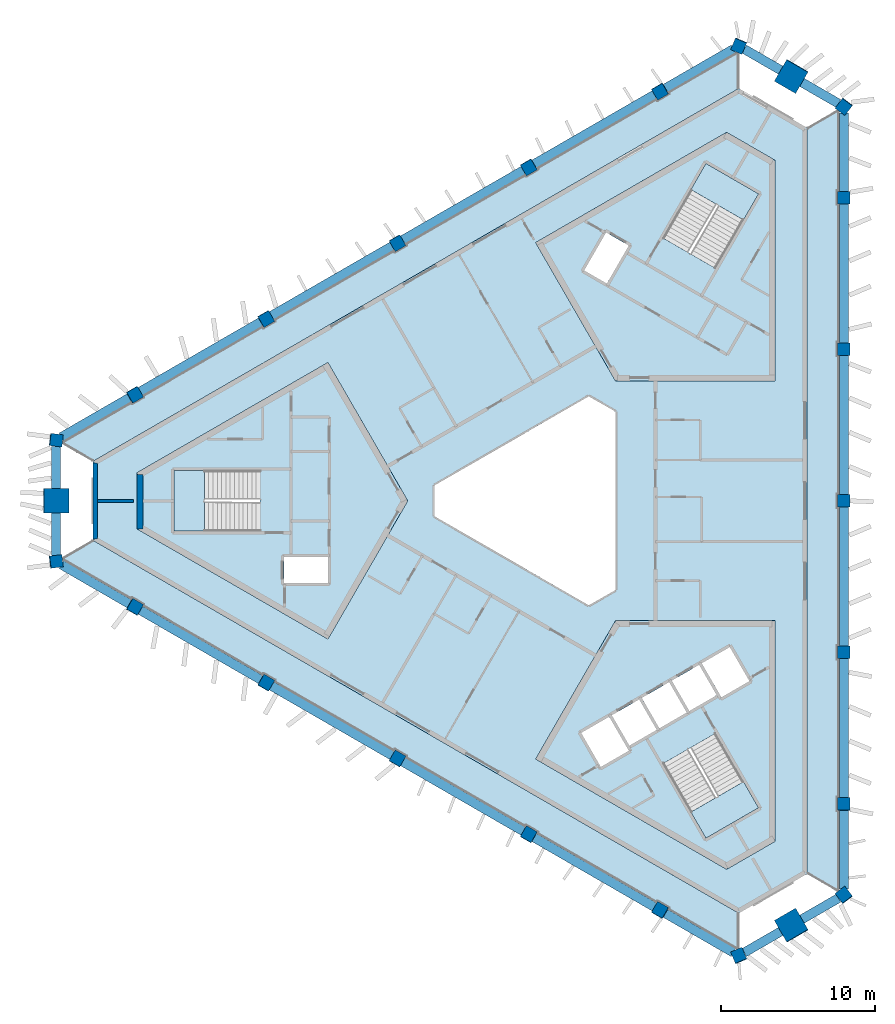
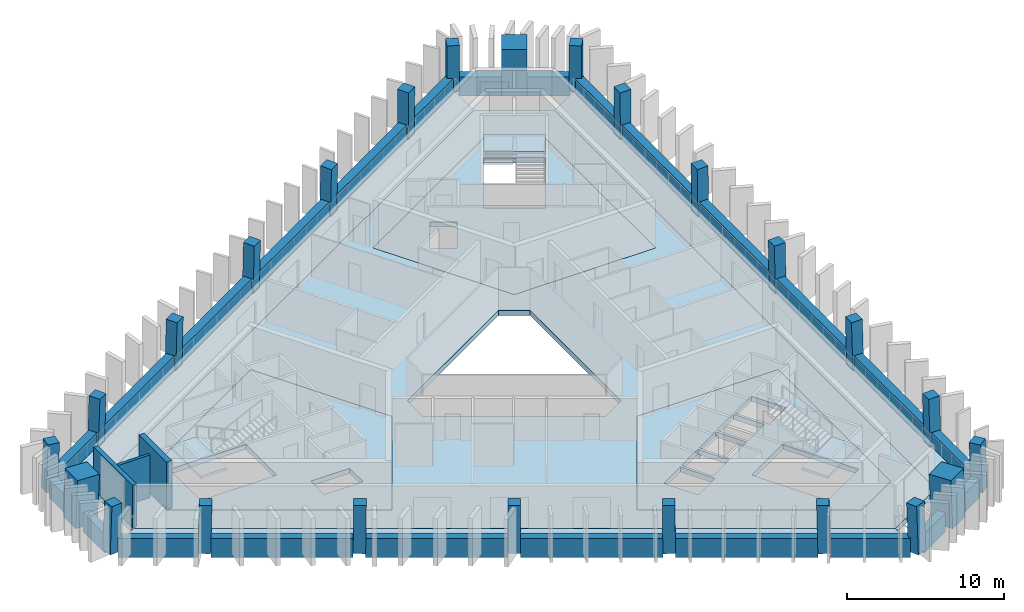
# One storey, part 1 of 9: 24 beams, 24 columns, 10 slabs, 3 walls, 3 elements without a shape of their own.
"""IFC4 building model written with IfcOpenShell, lengths in metres."""

from ifc_helpers import new_model, si_unit, direction, frame, frame_2d, origin, origin_2d, place, context, subcontext, project, spatial, polyline, rectangle, outline, extrude, material, layer, layer_set, material_profile, profile_set, type_object, element, aggregate, save


model = new_model("IFC4")

# Units and contexts
model_context = context("Model", 3, precision=1e-05, world=origin(), true_north=direction((0.0, 1.0)))
body_context = subcontext(model_context, "Body", "Model", "MODEL_VIEW")
ifc_project = project(units=[si_unit("LENGTHUNIT", "METRE"), si_unit("AREAUNIT", "SQUARE_METRE"), si_unit("VOLUMEUNIT", "CUBIC_METRE"), si_unit("PLANEANGLEUNIT", "RADIAN"), si_unit("MASSUNIT", "GRAM", prefix="KILO")], contexts=[model_context])

# Site, building, storey
site_placement = place(None, origin())
site = spatial("IfcSite", under=ifc_project, at=site_placement, CompositionType="ELEMENT")
building_placement = place(site_placement, origin())
building = spatial("IfcBuilding", under=site, at=building_placement, Name="Jabali Bay Hotel Tower and Convention Centre", CompositionType="ELEMENT")
storey_placement = place(building_placement, frame((0.0, 0.0, 262.699951171875)))
storey = spatial("IfcBuildingStorey", under=building, at=storey_placement, Name="L64", CompositionType="ELEMENT", Elevation=262.699951171875)

# Columns
ifc_material_1 = material(Name="Concrete C60", Category="concrete")
ifc_material_profile_1 = material_profile(ifc_material_1, rectangle(XDim=0.800048828125, YDim=0.800048828125, at=origin_2d()), Name="Frame column 800")
ifc_profile_set_1 = profile_set([ifc_material_profile_1], Name="Concrete C60")
column_type_1 = type_object("IfcColumnType", Name="Frame column 800", PredefinedType="COLUMN", material=ifc_profile_set_1)
column_1_placement = place(storey_placement, frame((82.399169921875, 106.61767578125, 0.0), z_axis=(-0.00837646992, -0.028097450282, 0.999570091609), x_axis=(0.866167223961, 0.499300431335, 0.02129364706)))
element("IfcColumn", 1, at=column_1_placement, inside=storey, type_object=column_type_1, Name="FC6 F1.1 L64", PredefinedType="COLUMN", context=body_context, shape_type="SweptSolid", body=[
    extrude(rectangle(XDim=0.800048828125, YDim=0.800048828125, at=origin_2d()), origin(), (0.0, 0.0, 1.0), 3.70166015625),
])
column_2_placement = place(storey_placement, frame((73.861572265625, 101.6884765625, 0.0), z_axis=(0.000857578916, -0.022824792675, 0.999739112668), x_axis=(0.866060437909, 0.499825470945, 0.010668480848)))
element("IfcColumn", 2, at=column_2_placement, inside=storey, type_object=column_type_1, Name="FC6 F1.2 L64", PredefinedType="COLUMN", context=body_context, shape_type="SweptSolid", body=[
    extrude(rectangle(XDim=0.800048828125, YDim=0.800048828125, at=origin_2d()), origin(), (0.0, 0.0, 1.0), 3.700927734375),
])
column_3_placement = place(storey_placement, frame((65.323974609375, 96.75927734375, 0.0), z_axis=(0.010093620709, -0.017482414954, 0.999796221231), x_axis=(-0.499897086036, 0.865849517735, 0.020187025824)))
element("IfcColumn", 3, at=column_3_placement, inside=storey, type_object=column_type_1, Name="FC6 F1.3 L64", PredefinedType="COLUMN", context=body_context, shape_type="SweptSolid", body=[
    extrude(rectangle(XDim=0.800048828125, YDim=0.800048828125, at=origin_2d()), origin(), (0.0, 0.0, 1.0), 3.70068359375),
])
column_4_placement = place(storey_placement, frame((56.786376953125, 91.830078125, 0.0), z_axis=(0.019328516974, -0.012138044789, 0.999739504221), x_axis=(-0.500200160538, 0.865674608258, 0.020180981521)))
element("IfcColumn", 4, at=column_4_placement, inside=storey, type_object=column_type_1, Name="FC6 F1.4 L64", PredefinedType="COLUMN", context=body_context, shape_type="SweptSolid", body=[
    extrude(rectangle(XDim=0.800048828125, YDim=0.800048828125, at=origin_2d()), origin(), (0.0, 0.0, 1.0), 3.700927734375),
])
for number, where, z_axis, x_axis, name in (
    (5, (48.248779296875, 86.90087890625, 0.0), (0.02855911485, -0.006793507689, 0.999569019734), (-0.500405785832, 0.865555785013, 0.020180003373), "FC6 F1.5 L64"),
    (6, (48.248779296875, 73.09912109375, 0.0), (0.02855911485, 0.006793507689, 0.999569019734), (-0.865319840559, 0.500766443848, 0.021319996519), "FC6 F2.1 L64"),
):
    element("IfcColumn", number, at=place(storey_placement, frame(where, z_axis=z_axis, x_axis=x_axis)), inside=storey, type_object=column_type_1, Name=name, PredefinedType="COLUMN", context=body_context, shape_type="SweptSolid", body=[
        extrude(rectangle(XDim=0.800048828125, YDim=0.800048828125, at=origin_2d()), origin(), (0.0, 0.0, 1.0), 3.70166015625),
    ])
column_5_placement = place(storey_placement, frame((56.786376953125, 68.169921875, 0.0), z_axis=(0.019328516974, 0.012138044789, 0.999739504221), x_axis=(-0.865694061334, 0.500459928951, 0.010660754407)))
element("IfcColumn", 7, at=column_5_placement, inside=storey, type_object=column_type_1, Name="FC6 F2.2 L64", PredefinedType="COLUMN", context=body_context, shape_type="SweptSolid", body=[
    extrude(rectangle(XDim=0.800048828125, YDim=0.800048828125, at=origin_2d()), origin(), (0.0, 0.0, 1.0), 3.700927734375),
])
column_6_placement = place(storey_placement, frame((65.323974609375, 63.24072265625, 0.0), z_axis=(0.010093620709, 0.017482414954, 0.999796221231), x_axis=(-0.866025993948, 0.499998977805, 1.48331e-07)))
element("IfcColumn", 8, at=column_6_placement, inside=storey, type_object=column_type_1, Name="FC6 F2.3 L64", PredefinedType="COLUMN", context=body_context, shape_type="SweptSolid", body=[
    extrude(rectangle(XDim=0.800048828125, YDim=0.800048828125, at=origin_2d()), origin(), (0.0, 0.0, 1.0), 3.70068359375),
])
column_7_placement = place(storey_placement, frame((73.861572265625, 58.3115234375, 0.0), z_axis=(0.000857578916, 0.022824792675, 0.999739112668), x_axis=(-0.499938578675, -0.865825344647, 0.020196289724)))
element("IfcColumn", 9, at=column_7_placement, inside=storey, type_object=column_type_1, Name="FC6 F2.4 L64", PredefinedType="COLUMN", context=body_context, shape_type="SweptSolid", body=[
    extrude(rectangle(XDim=0.800048828125, YDim=0.800048828125, at=origin_2d()), origin(), (0.0, 0.0, 1.0), 3.700927734375),
])
for number, where, z_axis, x_axis, name in (
    (10, (82.399169921875, 53.38232421875, 0.0), (-0.00837646992, 0.028097450282, 0.999570091609), (-0.499684075079, -0.865973216997, 0.020154715467), "FC6 F2.5 L64"),
    (11, (94.35205078125, 60.283203125, 0.0), (-0.020182659751, 0.021303918626, 0.999569308901), (0.000228267203, -0.99977282903, 0.021312865295), "FC6 F0.1 L64"),
):
    element("IfcColumn", number, at=place(storey_placement, frame(where, z_axis=z_axis, x_axis=x_axis)), inside=storey, type_object=column_type_1, Name=name, PredefinedType="COLUMN", context=body_context, shape_type="SweptSolid", body=[
        extrude(rectangle(XDim=0.800048828125, YDim=0.800048828125, at=origin_2d()), origin(), (0.0, 0.0, 1.0), 3.70166015625),
    ])
column_8_placement = place(storey_placement, frame((94.35205078125, 70.1416015625, 0.0), z_axis=(-0.020186088539, 0.010686752756, 0.999739123544), x_axis=(-0.001023376713, -0.999942568771, 0.010668264128)))
element("IfcColumn", 12, at=column_8_placement, inside=storey, type_object=column_type_1, Name="FC6 F0.2 L64", PredefinedType="COLUMN", context=body_context, shape_type="SweptSolid", body=[
    extrude(rectangle(XDim=0.800048828125, YDim=0.800048828125, at=origin_2d()), origin(), (0.0, 0.0, 1.0), 3.700927734375),
])
column_9_placement = place(storey_placement, frame((94.35205078125, 80.0, 0.0), z_axis=(-0.020187241331, 0.0, 0.99979621688), x_axis=(0.0, -1.0, 0.0)))
element("IfcColumn", 13, at=column_9_placement, inside=storey, type_object=column_type_1, Name="FC6 F0.3 L64", PredefinedType="COLUMN", context=body_context, shape_type="SweptSolid", body=[
    extrude(rectangle(XDim=0.800048828125, YDim=0.800048828125, at=origin_2d()), origin(), (0.0, 0.0, 1.0), 3.70068359375),
])
column_10_placement = place(storey_placement, frame((94.35205078125, 89.8583984375, 0.0), z_axis=(-0.020186088539, -0.010686752756, 0.999739123544), x_axis=(0.999795716399, 0.000807759214, 0.020195865801)))
element("IfcColumn", 14, at=column_10_placement, inside=storey, type_object=column_type_1, Name="FC6 F0.4 L64", PredefinedType="COLUMN", context=body_context, shape_type="SweptSolid", body=[
    extrude(rectangle(XDim=0.800048828125, YDim=0.800048828125, at=origin_2d()), origin(), (0.0, 0.0, 1.0), 3.700927734375),
])
column_11_placement = place(storey_placement, frame((94.35205078125, 99.716796875, 0.0), z_axis=(-0.020182659751, -0.021303918626, 0.999569308901), x_axis=(0.999796283319, -0.000658319199, 0.020173211851)))
element("IfcColumn", 15, at=column_11_placement, inside=storey, type_object=column_type_1, Name="FC6 F0.5 L64", PredefinedType="COLUMN", context=body_context, shape_type="SweptSolid", body=[
    extrude(rectangle(XDim=0.800048828125, YDim=0.800048828125, at=origin_2d()), origin(), (0.0, 0.0, 1.0), 3.70166015625),
])
for number, where, z_axis, x_axis, name in (
    (16, (94.35205078125, 54.368408203125, 0.0), (-0.020178741915, 0.029015184452, 0.999375273581), (-0.79818437071, -0.602411672871, 0.001373587504), "FC6 V0 L64"),
    (17, (94.35205078125, 105.631591796875, 0.0), (-0.020178741915, -0.029015184452, 0.999375273581), (0.602075185279, 0.797658006579, 0.035315376416), "FC6 V1 L64"),
    (18, (87.521484375, 109.5751953125, 0.0), (-0.015035141917, -0.031982648376, 0.99937533225), (0.920829512985, -0.389962974149, 0.001373611778), "FC6 V2 L64"),
    (19, (43.12646484375, 83.943603515625, 0.0), (0.03521388716, -0.002967462401, 0.999375393092), (-0.99182993422, 0.122582397144, 0.035312002161), "FC6 V3 L64"),
    (20, (43.12646484375, 76.056396484375, 0.0), (0.03521388716, 0.002967462401, 0.999375393092), (-0.12261061837, 0.992453903251, 0.001373384663), "FC6 V4 L64"),
    (21, (87.521484375, 50.4248046875, 0.0), (-0.015035141917, 0.031982648376, 0.99937533225), (0.389675445113, -0.920274952933, 0.035313715187), "FC6 V5 L64"),
):
    element("IfcColumn", number, at=place(storey_placement, frame(where, z_axis=z_axis, x_axis=x_axis)), inside=storey, type_object=column_type_1, Name=name, PredefinedType="COLUMN", context=body_context, shape_type="SweptSolid", body=[
        extrude(rectangle(XDim=0.800048828125, YDim=0.800048828125, at=origin_2d()), origin(), (0.0, 0.0, 1.0), 3.7021484375),
    ])
ifc_material_2 = material(Name="Concrete C70", Category="concrete")
ifc_material_profile_2 = material_profile(ifc_material_2, rectangle(XDim=1.60009765625, YDim=1.60009765625, at=origin_2d()), Name="Mega column 1600")
ifc_profile_set_2 = profile_set([ifc_material_profile_2], Name="Concrete C70")
column_type_2 = type_object("IfcColumnType", Name="Mega column 1600", PredefinedType="COLUMN", material=ifc_profile_set_2)
for number, where, z_axis, x_axis, name in (
    (22, (90.936767578125, 107.603271484375, 0.0), (-0.017607037296, -0.030466109479, 0.999380712447), (0.865814309161, -0.500365448499, 2.36446e-07), "MC6 M1 L64"),
    (23, (43.12646484375, 80.0, 0.0), (0.035214042205, 0.0, 0.999379793288), (0.0, 1.0, 0.0), "MC6 M0 L64"),
    (24, (90.936767578125, 52.396728515625, 0.0), (-0.017607037296, 0.030466109479, 0.999380712447), (0.500058895686, -0.865276204028, 0.035187946645), "MC6 M2 L64"),
):
    element("IfcColumn", number, at=place(storey_placement, frame(where, z_axis=z_axis, x_axis=x_axis)), inside=storey, type_object=column_type_2, Name=name, PredefinedType="COLUMN", context=body_context, shape_type="SweptSolid", body=[
        extrude(rectangle(XDim=1.60009765625, YDim=1.60009765625, at=origin_2d()), origin(), (0.0, 0.0, 1.0), 3.7021484375),
    ])

# Beams
ifc_material_profile_3 = material_profile(ifc_material_1, rectangle(XDim=0.60009765625, YDim=1.449951171875, at=origin_2d()), Name="Spandrel 600x1450")
ifc_profile_set_3 = profile_set([ifc_material_profile_3], Name="Concrete C60")
beam_type = type_object("IfcBeamType", Name="Spandrel 600x1450", PredefinedType="SPANDREL", material=ifc_profile_set_3)
beam_1_placement = place(storey_placement, frame((90.2373046875, 107.991943359375, 0.375), z_axis=(-0.866043267704, 0.499969057507, 0.0), x_axis=(-0.499969057507, -0.866043267704, 0.0)))
element("IfcBeam", 25, at=beam_1_placement, inside=storey, type_object=beam_type, Name="Spandrel M1-V2 L64", PredefinedType="SPANDREL", context=body_context, shape_type="SweptSolid", body=[
    extrude(rectangle(XDim=0.60009765625, YDim=1.449951171875, at=origin_2d()), origin(), (0.0, 0.0, 1.0), 2.742431640625),
])
beam_2_placement = place(storey_placement, frame((87.16943359375, 109.363037109375, 0.375), z_axis=(-0.866027315309, -0.499996689128, 0.0), x_axis=(0.499996689128, -0.866027315309, 0.0)))
element("IfcBeam", 26, at=beam_2_placement, inside=storey, type_object=beam_type, Name="Spandrel V2-F1.1 L64", PredefinedType="SPANDREL", context=body_context, shape_type="SweptSolid", body=[
    extrude(rectangle(XDim=0.60009765625, YDim=1.449951171875, at=origin_2d()), origin(), (0.0, 0.0, 1.0), 5.11181640625),
])
for number, where, z_axis, x_axis, name in (
    (27, (82.049560546875, 106.4072265625, 0.375), (-0.866017650455, -0.50001342892, 0.0), (0.50001342892, -0.866017650455, 0.0), "Spandrel F1.1-F1.2 L64"),
    (28, (73.515625, 101.47998046875, 0.375), (-0.866036066754, -0.49998153074, 0.0), (0.49998153074, -0.866036066754, 0.0), "Spandrel F1.2-F1.3 L64"),
    (29, (64.9814453125, 96.552734375, 0.375), (-0.866029326177, -0.499993206155, 0.0), (0.499993206155, -0.866029326177, 0.0), "Spandrel F1.3-F1.4 L64"),
    (30, (56.447265625, 91.62548828125, 0.375), (-0.866029326177, -0.499993206155, 0.0), (0.499993206155, -0.866029326177, 0.0), "Spandrel F1.4-F1.5 L64"),
):
    element("IfcBeam", number, at=place(storey_placement, frame(where, z_axis=z_axis, x_axis=x_axis)), inside=storey, type_object=beam_type, Name=name, PredefinedType="SPANDREL", context=body_context, shape_type="SweptSolid", body=[
        extrude(rectangle(XDim=0.60009765625, YDim=1.449951171875, at=origin_2d()), origin(), (0.0, 0.0, 1.0), 9.054443359375),
    ])
beam_3_placement = place(storey_placement, frame((47.9130859375, 86.698486328125, 0.375), z_axis=(-0.86600663458, -0.500032507806, 0.0), x_axis=(0.500032507806, -0.86600663458, 0.0)))
element("IfcBeam", 31, at=beam_3_placement, inside=storey, type_object=beam_type, Name="Spandrel F1.5-V3 L64", PredefinedType="SPANDREL", context=body_context, shape_type="SweptSolid", body=[
    extrude(rectangle(XDim=0.60009765625, YDim=1.449951171875, at=origin_2d()), origin(), (0.0, 0.0, 1.0), 5.112060546875),
])
for number, where, z_axis, x_axis, name in (
    (32, (43.1396484375, 83.54248046875, 0.375), (0.0, -1.0, 0.0), (1.0, 0.0, 0.0), "Spandrel V3-M0 L64"),
    (33, (43.1396484375, 79.199951171875, 0.375), (0.0, -1.0, 0.0), (1.0, 0.0, 0.0), "Spandrel M0-V4 L64"),
):
    element("IfcBeam", number, at=place(storey_placement, frame(where, z_axis=z_axis, x_axis=x_axis)), inside=storey, type_object=beam_type, Name=name, PredefinedType="SPANDREL", context=body_context, shape_type="SweptSolid", body=[
        extrude(rectangle(XDim=0.60009765625, YDim=1.449951171875, at=origin_2d()), origin(), (0.0, 0.0, 1.0), 2.742431640625),
    ])
beam_4_placement = place(storey_placement, frame((43.486083984375, 75.857666015625, 0.375), z_axis=(0.86600663458, -0.500032507806, 0.0), x_axis=(0.500032507806, 0.86600663458, 0.0)))
element("IfcBeam", 34, at=beam_4_placement, inside=storey, type_object=beam_type, Name="Spandrel V4-F2.1 L64", PredefinedType="SPANDREL", context=body_context, shape_type="SweptSolid", body=[
    extrude(rectangle(XDim=0.60009765625, YDim=1.449951171875, at=origin_2d()), origin(), (0.0, 0.0, 1.0), 5.112060546875),
])
for number, where, z_axis, x_axis, name in (
    (35, (48.60595703125, 72.901611328125, 0.375), (0.866029326177, -0.499993206155, 0.0), (0.499993206155, 0.866029326177, 0.0), "Spandrel F2.1-F2.2 L64"),
    (36, (57.14013671875, 67.974365234375, 0.375), (0.866029326177, -0.499993206155, 0.0), (0.499993206155, 0.866029326177, 0.0), "Spandrel F2.2-F2.3 L64"),
    (37, (65.674072265625, 63.047119140625, 0.375), (0.866036066754, -0.49998153074, 0.0), (0.49998153074, 0.866036066754, 0.0), "Spandrel F2.3-F2.4 L64"),
    (38, (74.208251953125, 58.1201171875, 0.375), (0.866017650455, -0.50001342892, 0.0), (0.50001342892, 0.866017650455, 0.0), "Spandrel F2.4-F2.5 L64"),
):
    element("IfcBeam", number, at=place(storey_placement, frame(where, z_axis=z_axis, x_axis=x_axis)), inside=storey, type_object=beam_type, Name=name, PredefinedType="SPANDREL", context=body_context, shape_type="SweptSolid", body=[
        extrude(rectangle(XDim=0.60009765625, YDim=1.449951171875, at=origin_2d()), origin(), (0.0, 0.0, 1.0), 9.054443359375),
    ])
beam_5_placement = place(storey_placement, frame((82.742431640625, 53.19287109375, 0.375), z_axis=(0.866027315309, -0.499996689128, 0.0), x_axis=(0.499996689128, 0.866027315309, 0.0)))
element("IfcBeam", 39, at=beam_5_placement, inside=storey, type_object=beam_type, Name="Spandrel F2.5-V5 L64", PredefinedType="SPANDREL", context=body_context, shape_type="SweptSolid", body=[
    extrude(rectangle(XDim=0.60009765625, YDim=1.449951171875, at=origin_2d()), origin(), (0.0, 0.0, 1.0), 5.11181640625),
])
for number, where, z_axis, x_axis, name in (
    (40, (87.8623046875, 50.636962890625, 0.375), (0.866043267704, 0.499969057507, 0.0), (-0.499969057507, 0.866043267704, 0.0), "Spandrel V5-M2 L64"),
    (41, (91.623046875, 52.80810546875, 0.375), (0.866043267704, 0.499969057507, 0.0), (-0.499969057507, 0.866043267704, 0.0), "Spandrel M2-V0 L64"),
):
    element("IfcBeam", number, at=place(storey_placement, frame(where, z_axis=z_axis, x_axis=x_axis)), inside=storey, type_object=beam_type, Name=name, PredefinedType="SPANDREL", context=body_context, shape_type="SweptSolid", body=[
        extrude(rectangle(XDim=0.60009765625, YDim=1.449951171875, at=origin_2d()), origin(), (0.0, 0.0, 1.0), 2.742431640625),
    ])
beam_6_placement = place(storey_placement, frame((94.344482421875, 54.779296875, 0.375), z_axis=(0.0, 1.0, 0.0), x_axis=(-1.0, 0.0, 0.0)))
element("IfcBeam", 42, at=beam_6_placement, inside=storey, type_object=beam_type, Name="Spandrel V0-F0.1 L64", PredefinedType="SPANDREL", context=body_context, shape_type="SweptSolid", body=[
    extrude(rectangle(XDim=0.60009765625, YDim=1.449951171875, at=origin_2d()), origin(), (0.0, 0.0, 1.0), 5.112060546875),
])
for number, where, z_axis, x_axis, name in (
    (43, (94.344482421875, 60.691162109375, 0.375), (0.0, 1.0, 0.0), (-1.0, 0.0, 0.0), "Spandrel F0.1-F0.2 L64"),
    (44, (94.344482421875, 70.545654296875, 0.375), (0.0, 1.0, 0.0), (-1.0, 0.0, 0.0), "Spandrel F0.2-F0.3 L64"),
    (45, (94.344482421875, 80.39990234375, 0.375), (0.0, 1.0, 0.0), (-1.0, 0.0, 0.0), "Spandrel F0.3-F0.4 L64"),
    (46, (94.344482421875, 90.25439453125, 0.375), (0.0, 1.0, 0.0), (-1.0, 0.0, 0.0), "Spandrel F0.4-F0.5 L64"),
):
    element("IfcBeam", number, at=place(storey_placement, frame(where, z_axis=z_axis, x_axis=x_axis)), inside=storey, type_object=beam_type, Name=name, PredefinedType="SPANDREL", context=body_context, shape_type="SweptSolid", body=[
        extrude(rectangle(XDim=0.60009765625, YDim=1.449951171875, at=origin_2d()), origin(), (0.0, 0.0, 1.0), 9.054443359375),
    ])
beam_7_placement = place(storey_placement, frame((94.344482421875, 100.108642578125, 0.375), z_axis=(0.0, 1.0, 0.0), x_axis=(-1.0, 0.0, 0.0)))
element("IfcBeam", 47, at=beam_7_placement, inside=storey, type_object=beam_type, Name="Spandrel F0.5-V1 L64", PredefinedType="SPANDREL", context=body_context, shape_type="SweptSolid", body=[
    extrude(rectangle(XDim=0.60009765625, YDim=1.449951171875, at=origin_2d()), origin(), (0.0, 0.0, 1.0), 5.112060546875),
])
beam_8_placement = place(storey_placement, frame((93.998046875, 105.82080078125, 0.375), z_axis=(-0.866043267704, 0.499969057507, 0.0), x_axis=(-0.499969057507, -0.866043267704, 0.0)))
element("IfcBeam", 48, at=beam_8_placement, inside=storey, type_object=beam_type, Name="Spandrel V1-M1 L64", PredefinedType="SPANDREL", context=body_context, shape_type="SweptSolid", body=[
    extrude(rectangle(XDim=0.60009765625, YDim=1.449951171875, at=origin_2d()), origin(), (0.0, 0.0, 1.0), 2.742431640625),
])

# Slabs
ifc_material_3 = material(Name="Concrete C40", Category="concrete")
ifc_layer_1 = layer(ifc_material_3, 0.39990234375)
ifc_layer_set_1 = layer_set([ifc_layer_1], Name="Concrete C40")
slab_type_1 = type_object("IfcSlabType", Name="Core floor slab 400", PredefinedType="FLOOR", material=ifc_layer_set_1)
slab_1_placement = place(storey_placement, frame((0.0, 0.0, -0.39990234375)))
element("IfcSlab", 49, at=slab_1_placement, inside=storey, type_object=slab_type_1, Name="Core floor slab 1 L64", PredefinedType="FLOOR", context=body_context, shape_type="SweptSolid", body=[
    extrude(outline(polyline([(66.0, 80.0), (60.81005859375, 88.9892578125), (48.39697265625, 81.82275390625), (48.39697265625, 78.17724609375), (60.81005859375, 71.0107421875), (66.0, 80.0)]), holes=[polyline([(60.800048828125, 76.35009765625), (57.949951171875, 76.35009765625), (57.949951171875, 74.64990234375), (60.800048828125, 74.64990234375), (60.800048828125, 76.35009765625)]), polyline([(50.820068359375, 81.97509765625), (50.820068359375, 78.02490234375), (56.409912109375, 78.02490234375), (56.409912109375, 81.97509765625), (50.820068359375, 81.97509765625)])]), origin(), (0.0, 0.0, 1.0), 0.39990234375),
])
slab_2_placement = place(storey_placement, frame((0.0, 0.0, -0.39990234375)))
element("IfcSlab", 50, at=slab_2_placement, inside=storey, type_object=slab_type_1, Name="Core floor slab 2 L64", PredefinedType="FLOOR", context=body_context, shape_type="SweptSolid", body=[
    extrude(outline(polyline([(79.5, 87.794189453125), (89.8798828125, 87.794189453125), (89.8798828125, 102.127685546875), (86.72314453125, 103.9501953125), (74.31005859375, 96.78369140625), (79.5, 87.794189453125)]), holes=[polyline([(78.93896484375, 94.12255859375), (80.364013671875, 96.5908203125), (78.891845703125, 97.440673828125), (77.466796875, 94.97265625), (78.93896484375, 94.12255859375)]), polyline([(88.80029296875, 99.952880859375), (85.379638671875, 101.927978515625), (82.584716796875, 97.0869140625), (86.00537109375, 95.11181640625), (88.80029296875, 99.952880859375)])]), origin(), (0.0, 0.0, 1.0), 0.39990234375),
])
slab_3_placement = place(storey_placement, frame((0.0, 0.0, -0.39990234375)))
element("IfcSlab", 51, at=slab_3_placement, inside=storey, type_object=slab_type_1, Name="Core floor slab 3 L64", PredefinedType="FLOOR", context=body_context, shape_type="SweptSolid", body=[
    extrude(outline(polyline([(79.5, 72.205810546875), (74.31005859375, 63.21630859375), (86.72314453125, 56.0498046875), (89.8798828125, 57.872314453125), (89.8798828125, 72.205810546875), (79.5, 72.205810546875)]), holes=[polyline([(82.584716796875, 62.9130859375), (85.379638671875, 58.072021484375), (88.80029296875, 60.047119140625), (86.00537109375, 64.88818359375), (82.584716796875, 62.9130859375)]), polyline([(80.365478515625, 63.756591796875), (79.090576171875, 65.96484375), (77.27197265625, 64.9150390625), (78.546875, 62.70654296875), (80.365478515625, 63.756591796875)]), polyline([(82.17919921875, 65.115478515625), (81.0390625, 67.08984375), (79.263671875, 66.06494140625), (80.40380859375, 64.09033203125), (82.17919921875, 65.115478515625)]), polyline([(82.98779296875, 68.21484375), (81.21240234375, 67.18994140625), (82.352294921875, 65.21533203125), (84.127685546875, 66.240478515625), (82.98779296875, 68.21484375)]), polyline([(86.076171875, 67.365478515625), (84.936279296875, 69.33984375), (83.160888671875, 68.31494140625), (84.30078125, 66.34033203125), (86.076171875, 67.365478515625)]), polyline([(88.203125, 68.281494140625), (86.927978515625, 70.489990234375), (85.109375, 69.43994140625), (86.384521484375, 67.231689453125), (88.203125, 68.281494140625)])]), origin(), (0.0, 0.0, 1.0), 0.39990234375),
])
ifc_layer_2 = layer(ifc_material_3, 0.199951171875)
ifc_layer_set_2 = layer_set([ifc_layer_2], Name="Concrete C40")
slab_type_2 = type_object("IfcSlabType", Name="Loggia slab 200", PredefinedType="FLOOR", material=ifc_layer_set_2)
slab_4_placement = place(storey_placement, frame((0.0, 0.0, -0.199951171875)))
element("IfcSlab", 52, at=slab_4_placement, inside=storey, type_object=slab_type_2, Name="Loggia slab east face L64", PredefinedType="FLOOR", context=body_context, shape_type="SweptSolid", body=[
    extrude(outline(polyline([(91.9521484375, 104.245849609375), (93.975830078125, 105.414306640625), (94.052001953125, 105.35693359375), (94.052001953125, 100.11669921875), (93.9521484375, 100.11669921875), (93.9521484375, 99.316650390625), (94.052001953125, 99.316650390625), (94.052001953125, 90.25830078125), (93.9521484375, 90.25830078125), (93.9521484375, 89.45849609375), (94.052001953125, 89.45849609375), (94.052001953125, 80.39990234375), (93.9521484375, 80.39990234375), (93.9521484375, 79.60009765625), (94.052001953125, 79.60009765625), (94.052001953125, 70.54150390625), (93.9521484375, 70.54150390625), (93.9521484375, 69.74169921875), (94.052001953125, 69.74169921875), (94.052001953125, 60.683349609375), (93.9521484375, 60.683349609375), (93.9521484375, 59.88330078125), (94.052001953125, 59.88330078125), (94.052001953125, 54.64306640625), (93.975830078125, 54.585693359375), (91.9521484375, 55.754150390625), (91.9521484375, 104.245849609375)])), origin(), (0.0, 0.0, 1.0), 0.199951171875),
])
slab_5_placement = place(storey_placement, frame((0.0, 0.0, -0.199951171875)))
element("IfcSlab", 53, at=slab_5_placement, inside=storey, type_object=slab_type_2, Name="Loggia slab north-west face L64", PredefinedType="FLOOR", context=body_context, shape_type="SweptSolid", body=[
    extrude(outline(polyline([(45.5263671875, 82.557861328125), (43.502685546875, 83.726318359375), (43.514404296875, 83.821044921875), (48.05224609375, 86.441162109375), (48.102294921875, 86.3544921875), (48.795166015625, 86.754638671875), (48.7451171875, 86.841064453125), (56.590087890625, 91.370361328125), (56.639892578125, 91.28369140625), (57.332763671875, 91.683837890625), (57.28271484375, 91.770263671875), (65.127685546875, 96.299560546875), (65.177490234375, 96.212890625), (65.870361328125, 96.613037109375), (65.8203125, 96.699462890625), (73.665283203125, 101.228759765625), (73.715087890625, 101.14208984375), (74.407958984375, 101.542236328125), (74.35791015625, 101.628662109375), (82.202880859375, 106.157958984375), (82.252685546875, 106.0712890625), (82.945556640625, 106.471435546875), (82.8955078125, 106.557861328125), (87.43359375, 109.177978515625), (87.521484375, 109.140869140625), (87.521484375, 106.803955078125), (45.5263671875, 82.557861328125)])), origin(), (0.0, 0.0, 1.0), 0.199951171875),
])
slab_6_placement = place(storey_placement, frame((0.0, 0.0, -0.199951171875)))
element("IfcSlab", 54, at=slab_6_placement, inside=storey, type_object=slab_type_2, Name="Loggia slab south-west face L64", PredefinedType="FLOOR", context=body_context, shape_type="SweptSolid", body=[
    extrude(outline(polyline([(87.521484375, 53.196044921875), (87.521484375, 50.859130859375), (87.43359375, 50.822021484375), (82.8955078125, 53.442138671875), (82.945556640625, 53.528564453125), (82.252685546875, 53.9287109375), (82.202880859375, 53.842041015625), (74.35791015625, 58.371337890625), (74.407958984375, 58.457763671875), (73.715087890625, 58.85791015625), (73.665283203125, 58.771240234375), (65.8203125, 63.300537109375), (65.870361328125, 63.386962890625), (65.177490234375, 63.787109375), (65.127685546875, 63.700439453125), (57.28271484375, 68.229736328125), (57.332763671875, 68.316162109375), (56.639892578125, 68.71630859375), (56.590087890625, 68.629638671875), (48.7451171875, 73.158935546875), (48.795166015625, 73.245361328125), (48.102294921875, 73.6455078125), (48.05224609375, 73.558837890625), (43.514404296875, 76.178955078125), (43.502685546875, 76.273681640625), (45.5263671875, 77.442138671875), (87.521484375, 53.196044921875)])), origin(), (0.0, 0.0, 1.0), 0.199951171875),
])
ifc_layer_3 = layer(ifc_material_3, 0.39990234375)
ifc_layer_set_3 = layer_set([ifc_layer_3], Name="Concrete C40")
slab_type_3 = type_object("IfcSlabType", Name="Post-tensioned flat slab 400", PredefinedType="FLOOR", material=ifc_layer_set_3)
slab_7_placement = place(storey_placement, frame((0.0, 0.0, -0.39990234375)))
element("IfcSlab", 55, at=slab_7_placement, inside=storey, type_object=slab_type_3, Name="Floor slab L64", PredefinedType="FLOOR", context=body_context, shape_type="SweptSolid", body=[
    extrude(outline(polyline([(87.521484375, 106.803955078125), (91.9521484375, 104.245849609375), (91.9521484375, 55.754150390625), (87.521484375, 53.196044921875), (45.5263671875, 77.442138671875), (45.5263671875, 82.557861328125), (87.521484375, 106.803955078125)]), holes=[polyline([(67.73193359375, 79.0), (77.76806640625, 73.205810546875), (79.5, 74.205810546875), (79.5, 85.794189453125), (77.76806640625, 86.794189453125), (67.73193359375, 81.0), (67.73193359375, 79.0)]), polyline([(48.39697265625, 78.17724609375), (60.81005859375, 71.0107421875), (66.0, 80.0), (60.81005859375, 88.9892578125), (48.39697265625, 81.82275390625), (48.39697265625, 78.17724609375)]), polyline([(89.8798828125, 102.127685546875), (86.72314453125, 103.9501953125), (74.31005859375, 96.78369140625), (79.5, 87.794189453125), (89.8798828125, 87.794189453125), (89.8798828125, 102.127685546875)]), polyline([(74.31005859375, 63.21630859375), (86.72314453125, 56.0498046875), (89.8798828125, 57.872314453125), (89.8798828125, 72.205810546875), (79.5, 72.205810546875), (74.31005859375, 63.21630859375)])]), origin(), (0.0, 0.0, 1.0), 0.39990234375),
])

# Stair, slab
stair_type = type_object("IfcStairType", Name="Exit stair 1900", PredefinedType="HALF_TURN_STAIR", material=ifc_material_3)
stair_1_placement = place(storey_placement, origin())
stair_1 = element("IfcStair", 56, at=stair_1_placement, inside=storey, type_object=stair_type, Name="L64 Exit Stair 1", PredefinedType="HALF_TURN_STAIR")
ifc_layer_4 = layer(ifc_material_3, 0.199951171875)
ifc_layer_set_4 = layer_set([ifc_layer_4], Name="Concrete C40")
slab_type_4 = type_object("IfcSlabType", Name="Stair landing 200", PredefinedType="LANDING", material=ifc_layer_set_4)
slab_8_placement = place(storey_placement, frame((0.0, 0.0, 1.650146484375)))
slab_8 = element("IfcSlab", 57, at=slab_8_placement, type_object=slab_type_4, Name="ST1 landing 1", PredefinedType="LANDING", context=body_context, shape_type="SweptSolid", body=[
    extrude(outline(polyline([(52.782958984375, 81.97509765625), (50.820068359375, 81.97509765625), (50.820068359375, 78.02490234375), (52.782958984375, 78.02490234375), (52.782958984375, 81.97509765625)])), origin(), (0.0, 0.0, 1.0), 0.199951171875),
])
aggregate(stair_1, [slab_8])

stair_2_placement = place(storey_placement, origin())
stair_2 = element("IfcStair", 58, at=stair_2_placement, inside=storey, type_object=stair_type, Name="L64 Exit Stair 2", PredefinedType="HALF_TURN_STAIR")
slab_9_placement = place(storey_placement, frame((0.0, 0.0, 1.650146484375)))
slab_9 = element("IfcSlab", 59, at=slab_9_placement, type_object=slab_type_4, Name="ST2 landing 1", PredefinedType="LANDING", context=body_context, shape_type="SweptSolid", body=[
    extrude(outline(polyline([(87.81884765625, 98.2529296875), (88.80029296875, 99.952880859375), (85.379638671875, 101.927978515625), (84.398193359375, 100.22802734375), (87.81884765625, 98.2529296875)])), origin(), (0.0, 0.0, 1.0), 0.199951171875),
])
aggregate(stair_2, [slab_9])

stair_3_placement = place(storey_placement, origin())
stair_3 = element("IfcStair", 60, at=stair_3_placement, inside=storey, type_object=stair_type, Name="L64 Exit Stair 3", PredefinedType="HALF_TURN_STAIR")
slab_10_placement = place(storey_placement, frame((0.0, 0.0, 1.650146484375)))
slab_10 = element("IfcSlab", 61, at=slab_10_placement, type_object=slab_type_4, Name="ST3 landing 1", PredefinedType="LANDING", context=body_context, shape_type="SweptSolid", body=[
    extrude(outline(polyline([(84.398193359375, 59.77197265625), (85.379638671875, 58.072021484375), (88.80029296875, 60.047119140625), (87.81884765625, 61.7470703125), (84.398193359375, 59.77197265625)])), origin(), (0.0, 0.0, 1.0), 0.199951171875),
])
aggregate(stair_3, [slab_10])

# Walls
ifc_layer_5 = layer(ifc_material_1, 0.39990234375)
ifc_layer_set_5 = layer_set([ifc_layer_5], Name="Concrete C60")
wall_type_1 = type_object("IfcWallType", Name="Core wall 400", PredefinedType="SHEAR", material=ifc_layer_set_5)
wall_1_placement = place(storey_placement, frame((48.596923828125, 81.707275390625, 0.0), z_axis=(0.0, 0.0, 1.0), x_axis=(0.0, -1.0, 0.0)))
element("IfcWall", 62, at=wall_1_placement, inside=storey, type_object=wall_type_1, Name="Core wall 1.3 L64", PredefinedType="SHEAR", context=body_context, shape_type="SweptSolid", body=[
    extrude(rectangle(XDim=3.530029296875, YDim=0.39990234375, at=frame_2d((1.76513671875, 0.0))), origin(), (0.0, 0.0, 1.0), 3.699951171875),
])
ifc_layer_6 = layer(ifc_material_3, 0.300048828125)
ifc_layer_set_6 = layer_set([ifc_layer_6], Name="Concrete C40")
wall_type_2 = type_object("IfcWallType", Name="External wall 300", PredefinedType="SOLIDWALL", material=ifc_layer_set_6)
wall_2_placement = place(storey_placement, frame((45.67626953125, 77.528564453125, 0.0), z_axis=(0.0, 0.0, 1.0), x_axis=(0.0, 1.0, 0.0)))
element("IfcWall", 63, at=wall_2_placement, inside=storey, type_object=wall_type_2, Name="External wall west chamfer L64", PredefinedType="SOLIDWALL", context=body_context, shape_type="SweptSolid", body=[
    extrude(rectangle(XDim=4.94287109375, YDim=0.300048828125, at=frame_2d((2.471435546875, 0.0))), origin(), (0.0, 0.0, 1.0), 3.300048828125),
])
ifc_material_4 = material(Name="Plasterboard on steel stud", Category="steel")
ifc_layer_7 = layer(ifc_material_4, 0.199951171875)
ifc_layer_set_7 = layer_set([ifc_layer_7], Name="Plasterboard on steel stud")
wall_type_3 = type_object("IfcWallType", Name="Partition 200 party", PredefinedType="PARTITIONING", material=ifc_layer_set_7)
wall_3_placement = place(storey_placement, frame((45.846435546875, 80.0009765625, 0.0), z_axis=(0.0, 0.0, 1.0), x_axis=(1.0, 0.0, 0.0)))
element("IfcWall", 64, at=wall_3_placement, inside=storey, type_object=wall_type_3, Name="Partition P01 L64 020", PredefinedType="PARTITIONING", context=body_context, shape_type="SweptSolid", body=[
    extrude(rectangle(XDim=2.33056640625, YDim=0.199951171875, at=frame_2d((1.165283203125, 0.0))), origin(), (0.0, 0.0, 1.0), 3.300048828125),
])

save(model, "model.ifc")
